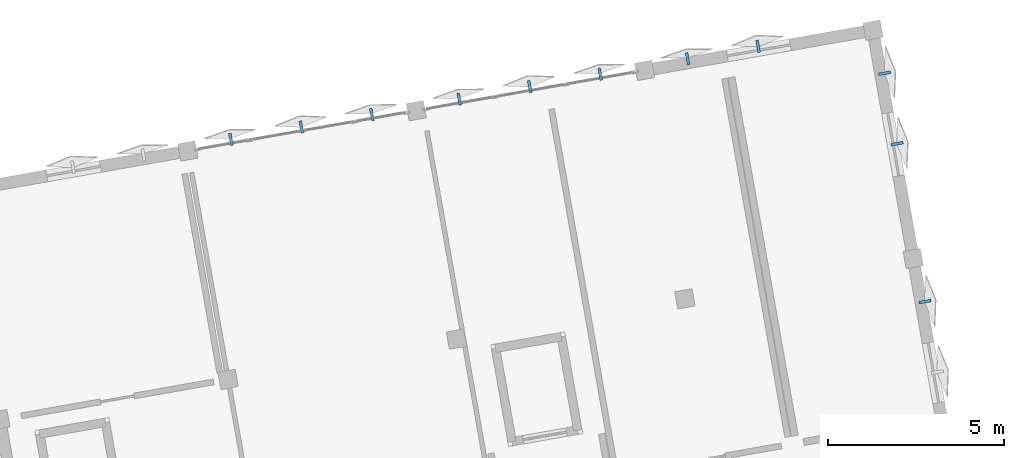
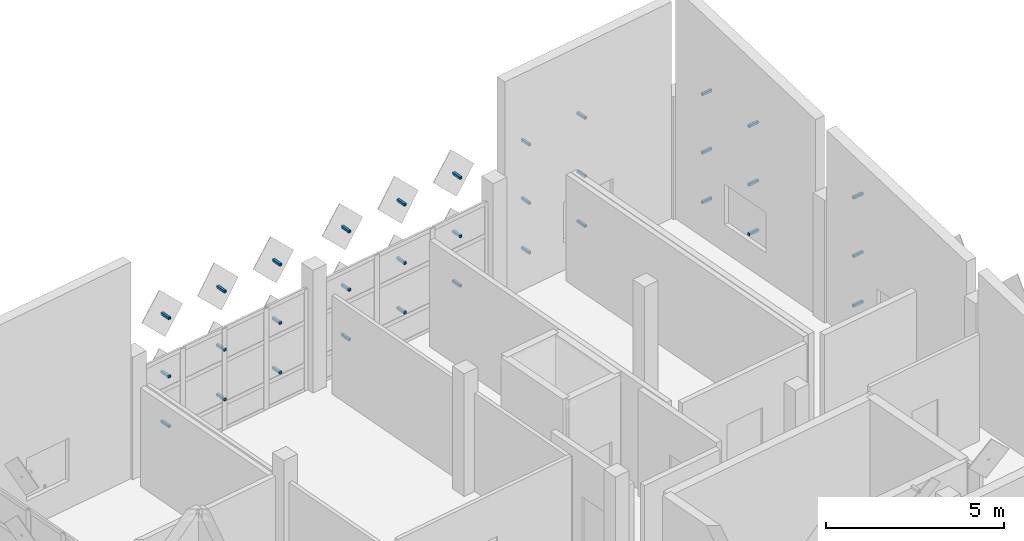
# One storey, part 9 of 11: 33 discrete accessories.
"""IFC4 building model written with IfcOpenShell, lengths in metres."""

from ifc_helpers import new_model, si_unit, direction, frame, origin, origin_2d, place, context, subcontext, project, spatial, hollow_rectangle, extrude, material, type_object, element, save


model = new_model("IFC4")

# Units and contexts
model_context = context("Model", 3, precision=1e-05, world=origin(), true_north=direction((0.0, 1.0)))
body_context = subcontext(model_context, "Body", "Model", "MODEL_VIEW")
ifc_project = project(units=[si_unit("LENGTHUNIT", "METRE"), si_unit("AREAUNIT", "SQUARE_METRE"), si_unit("VOLUMEUNIT", "CUBIC_METRE"), si_unit("PLANEANGLEUNIT", "RADIAN"), si_unit("MASSUNIT", "GRAM", prefix="KILO")], contexts=[model_context])

# Site, building, storey
site_placement = place(None, origin())
site = spatial("IfcSite", under=ifc_project, at=site_placement, CompositionType="ELEMENT")
building_placement = place(site_placement, origin())
building = spatial("IfcBuilding", under=site, at=building_placement, Name="Kharisveld Research Institute", CompositionType="ELEMENT")
storey_placement = place(building_placement, frame((0.0, 0.0, 49.199951171875)))
storey = spatial("IfcBuildingStorey", under=building, at=storey_placement, Name="L11", CompositionType="ELEMENT", Elevation=49.199951171875)

# Discrete accessories
ifc_material = material(Name="Steel S355JR", Category="steel")
discrete_accessory_type = type_object("IfcDiscreteAccessoryType", Name="BKT_ST_260", PredefinedType="BRACKET")
for number, where, z_axis, x_axis, name in (
    (1, (9.51611328125, 55.815673828125, 1.050048828125), (-0.173785333909, 0.984783558818, 0.0), (-0.984783558818, -0.173785333909, 0.0), "BKT-SHD:V1:L11:N1:S0C0"),
    (2, (9.51611328125, 55.815673828125, 2.75), (-0.173785333909, 0.984783558818, 0.0), (-0.984783558818, -0.173785333909, 0.0), "BKT-SHD:V1:L11:N1:S0C1"),
    (3, (9.51611328125, 55.815673828125, 4.75), (-0.173785333909, 0.984783558818, 0.0), (-0.984783558818, -0.173785333909, 0.0), "BKT-SHD:V1:L11:N1:S0C2"),
):
    element("IfcDiscreteAccessory", number, at=place(storey_placement, frame(where, z_axis=z_axis, x_axis=x_axis)), inside=storey, type_object=discrete_accessory_type, material=ifc_material, Name=name, ObjectType="BRACKET", PredefinedType="BRACKET", context=body_context, shape_type="SweptSolid", body=[
        extrude(hollow_rectangle(XDim=0.080078125, YDim=0.080078125, WallThickness=0.0048828125, at=origin_2d()), origin(), (0.0, 0.0, 1.0), 0.349853515625),
    ])
for number, where, z_axis, x_axis, name in (
    (4, (11.521728515625, 56.169189453125, 1.050048828125), (-0.173665969752, 0.984804615622, 0.0), (-0.984804615622, -0.173665969752, 0.0), "BKT-SHD:V1:L11:N1:S1C0"),
    (5, (11.521728515625, 56.169189453125, 2.75), (-0.173665969752, 0.984804615622, 0.0), (-0.984804615622, -0.173665969752, 0.0), "BKT-SHD:V1:L11:N1:S1C1"),
    (6, (11.521728515625, 56.169189453125, 4.75), (-0.173665969752, 0.984804615622, 0.0), (-0.984804615622, -0.173665969752, 0.0), "BKT-SHD:V1:L11:N1:S1C2"),
    (7, (13.527587890625, 56.52294921875, 1.050048828125), (-0.173665969752, 0.984804615622, 0.0), (-0.984804615622, -0.173665969752, 0.0), "BKT-SHD:V1:L11:N1:S2C0"),
    (8, (13.527587890625, 56.52294921875, 2.75), (-0.173665969752, 0.984804615622, 0.0), (-0.984804615622, -0.173665969752, 0.0), "BKT-SHD:V1:L11:N1:S2C1"),
    (9, (13.527587890625, 56.52294921875, 4.75), (-0.173665969752, 0.984804615622, 0.0), (-0.984804615622, -0.173665969752, 0.0), "BKT-SHD:V1:L11:N1:S2C2"),
    (10, (16.015869140625, 56.961669921875, 1.050048828125), (-0.173665969752, 0.984804615622, 0.0), (-0.984804615622, -0.173665969752, 0.0), "BKT-SHD:V1:L11:N2:S0C0"),
    (11, (16.015869140625, 56.961669921875, 2.75), (-0.173665969752, 0.984804615622, 0.0), (-0.984804615622, -0.173665969752, 0.0), "BKT-SHD:V1:L11:N2:S0C1"),
    (12, (16.015869140625, 56.961669921875, 4.75), (-0.173665969752, 0.984804615622, 0.0), (-0.984804615622, -0.173665969752, 0.0), "BKT-SHD:V1:L11:N2:S0C2"),
    (13, (18.021484375, 57.315185546875, 1.050048828125), (-0.173665969752, 0.984804615622, 0.0), (-0.984804615622, -0.173665969752, 0.0), "BKT-SHD:V1:L11:N2:S1C0"),
    (14, (18.021484375, 57.315185546875, 2.75), (-0.173665969752, 0.984804615622, 0.0), (-0.984804615622, -0.173665969752, 0.0), "BKT-SHD:V1:L11:N2:S1C1"),
    (15, (18.021484375, 57.315185546875, 4.75), (-0.173665969752, 0.984804615622, 0.0), (-0.984804615622, -0.173665969752, 0.0), "BKT-SHD:V1:L11:N2:S1C2"),
    (16, (20.02734375, 57.6689453125, 1.050048828125), (-0.173665969752, 0.984804615622, 0.0), (-0.984804615622, -0.173665969752, 0.0), "BKT-SHD:V1:L11:N2:S2C0"),
    (17, (20.02734375, 57.6689453125, 2.75), (-0.173665969752, 0.984804615622, 0.0), (-0.984804615622, -0.173665969752, 0.0), "BKT-SHD:V1:L11:N2:S2C1"),
    (18, (20.02734375, 57.6689453125, 4.75), (-0.173665969752, 0.984804615622, 0.0), (-0.984804615622, -0.173665969752, 0.0), "BKT-SHD:V1:L11:N2:S2C2"),
    (19, (22.515625, 58.107666015625, 1.050048828125), (-0.173665969752, 0.984804615622, 0.0), (-0.984804615622, -0.173665969752, 0.0), "BKT-SHD:V1:L11:N3:S0C0"),
    (20, (22.515625, 58.107666015625, 2.75), (-0.173665969752, 0.984804615622, 0.0), (-0.984804615622, -0.173665969752, 0.0), "BKT-SHD:V1:L11:N3:S0C1"),
    (21, (22.515625, 58.107666015625, 4.75), (-0.173665969752, 0.984804615622, 0.0), (-0.984804615622, -0.173665969752, 0.0), "BKT-SHD:V1:L11:N3:S0C2"),
    (22, (24.521240234375, 58.46142578125, 1.050048828125), (-0.173665969752, 0.984804615622, 0.0), (-0.984804615622, -0.173665969752, 0.0), "BKT-SHD:V1:L11:N3:S1C0"),
    (23, (24.521240234375, 58.46142578125, 2.75), (-0.173665969752, 0.984804615622, 0.0), (-0.984804615622, -0.173665969752, 0.0), "BKT-SHD:V1:L11:N3:S1C1"),
    (24, (24.521240234375, 58.46142578125, 4.75), (-0.173665969752, 0.984804615622, 0.0), (-0.984804615622, -0.173665969752, 0.0), "BKT-SHD:V1:L11:N3:S1C2"),
    (25, (27.9208984375, 57.8388671875, 1.050048828125), (0.984804615622, 0.173665969752, 0.0), (-0.173665969752, 0.984804615622, 0.0), "BKT-SHD:V1:L11:E3:S0C0"),
    (26, (27.9208984375, 57.8388671875, 2.75), (0.984804615622, 0.173665969752, 0.0), (-0.173665969752, 0.984804615622, 0.0), "BKT-SHD:V1:L11:E3:S0C1"),
    (27, (27.9208984375, 57.8388671875, 4.75), (0.984804615622, 0.173665969752, 0.0), (-0.173665969752, 0.984804615622, 0.0), "BKT-SHD:V1:L11:E3:S0C2"),
    (28, (28.274658203125, 55.833251953125, 1.050048828125), (0.984804615622, 0.173665969752, 0.0), (-0.173665969752, 0.984804615622, 0.0), "BKT-SHD:V1:L11:E3:S1C0"),
    (29, (28.274658203125, 55.833251953125, 2.75), (0.984804615622, 0.173665969752, 0.0), (-0.173665969752, 0.984804615622, 0.0), "BKT-SHD:V1:L11:E3:S1C1"),
    (30, (28.274658203125, 55.833251953125, 4.75), (0.984804615622, 0.173665969752, 0.0), (-0.173665969752, 0.984804615622, 0.0), "BKT-SHD:V1:L11:E3:S1C2"),
):
    element("IfcDiscreteAccessory", number, at=place(storey_placement, frame(where, z_axis=z_axis, x_axis=x_axis)), inside=storey, type_object=discrete_accessory_type, material=ifc_material, Name=name, ObjectType="BRACKET", PredefinedType="BRACKET", context=body_context, shape_type="SweptSolid", body=[
        extrude(hollow_rectangle(XDim=0.080078125, YDim=0.080078125, WallThickness=0.0048828125, at=origin_2d()), origin(), (0.0, 0.0, 1.0), 0.35009765625),
    ])
for number, where, z_axis, x_axis, name in (
    (31, (29.067138671875, 51.339111328125, 1.050048828125), (0.984783558818, 0.173785333909, 0.0), (-0.173785333909, 0.984783558818, 0.0), "BKT-SHD:V1:L11:E2:S0C0"),
    (32, (29.067138671875, 51.339111328125, 2.75), (0.984783558818, 0.173785333909, 0.0), (-0.173785333909, 0.984783558818, 0.0), "BKT-SHD:V1:L11:E2:S0C1"),
    (33, (29.067138671875, 51.339111328125, 4.75), (0.984783558818, 0.173785333909, 0.0), (-0.173785333909, 0.984783558818, 0.0), "BKT-SHD:V1:L11:E2:S0C2"),
):
    element("IfcDiscreteAccessory", number, at=place(storey_placement, frame(where, z_axis=z_axis, x_axis=x_axis)), inside=storey, type_object=discrete_accessory_type, material=ifc_material, Name=name, ObjectType="BRACKET", PredefinedType="BRACKET", context=body_context, shape_type="SweptSolid", body=[
        extrude(hollow_rectangle(XDim=0.080078125, YDim=0.080078125, WallThickness=0.0048828125, at=origin_2d()), origin(), (0.0, 0.0, 1.0), 0.349853515625),
    ])

save(model, "model.ifc")
